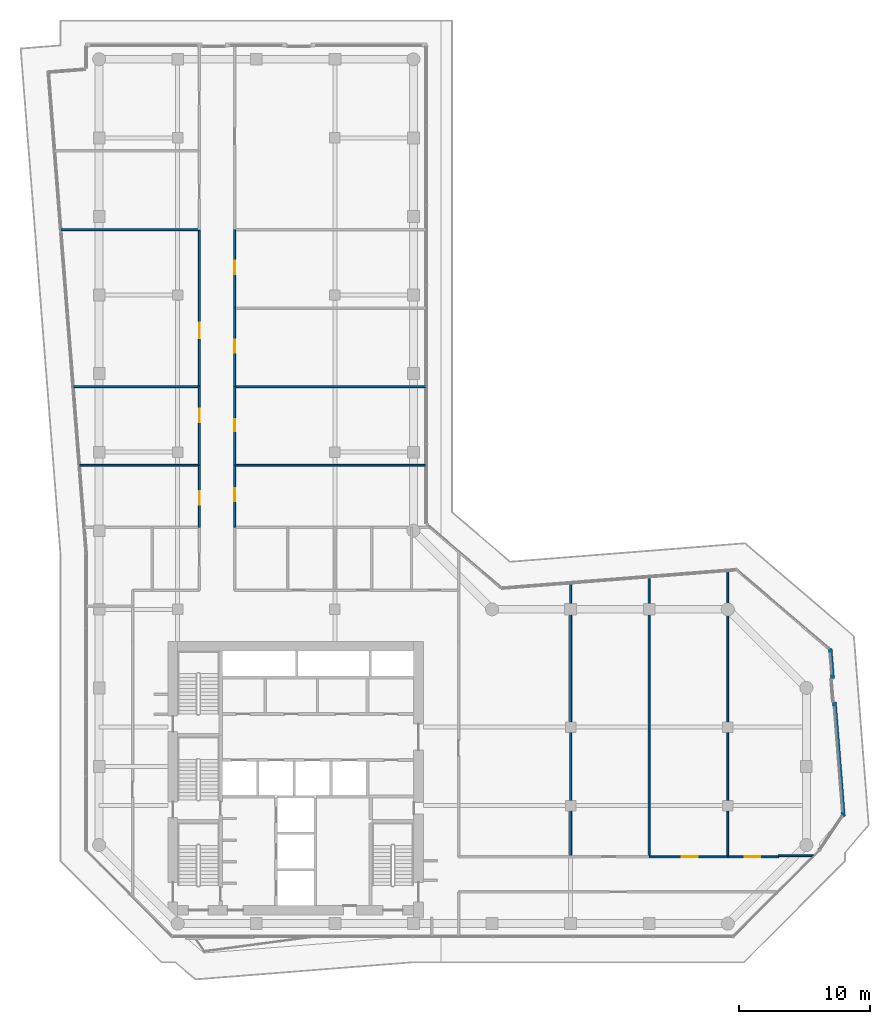
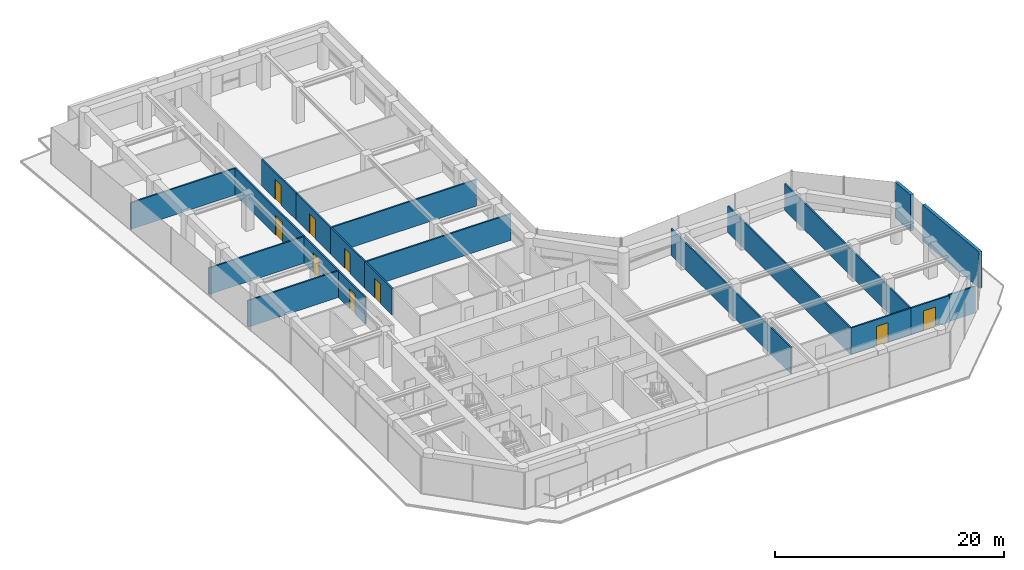
# One storey, part 22 of 25: 20 walls, 9 doors, 9 openings.
"""IFC4 building model written with IfcOpenShell, lengths in metres."""

from ifc_helpers import new_model, si_unit, direction, frame, frame_2d, origin, place, context, subcontext, project, spatial, rectangle, extrude, material, layer, layer_set, type_object, element, fill, save


model = new_model("IFC4")

# Units and contexts
model_context = context("Model", 3, precision=1e-05, world=origin(), true_north=direction((0.0, 1.0)))
body_context = subcontext(model_context, "Body", "Model", "MODEL_VIEW")
ifc_project = project(units=[si_unit("LENGTHUNIT", "METRE"), si_unit("AREAUNIT", "SQUARE_METRE"), si_unit("VOLUMEUNIT", "CUBIC_METRE"), si_unit("PLANEANGLEUNIT", "RADIAN"), si_unit("MASSUNIT", "GRAM", prefix="KILO")], contexts=[model_context])

# Site, building, storey
site_placement = place(None, origin())
site = spatial("IfcSite", under=ifc_project, at=site_placement, CompositionType="ELEMENT")
building_placement = place(site_placement, origin())
building = spatial("IfcBuilding", under=site, at=building_placement, Name="Welwitschia Terrace Campus", CompositionType="ELEMENT")
storey_placement = place(building_placement, frame((0.0, 0.0, 92.0)))
storey = spatial("IfcBuildingStorey", under=building, at=storey_placement, Name="L20", CompositionType="ELEMENT", Elevation=92.0)

# Walls
ifc_material_1 = material(Name="Gypsum board on steel studs", Category="steel")
ifc_layer_1 = layer(ifc_material_1, 0.14990234375)
ifc_layer_set_1 = layer_set([ifc_layer_1], Name="Gypsum board on steel studs")
wall_type_1 = type_object("IfcWallType", Name="Corridor partition 150 EI 30", PredefinedType="PARTITIONING", material=ifc_layer_set_1)
wall_1_placement = place(storey_placement, frame((-2.929931640625, 57.0, 0.0), z_axis=(0.0, 0.0, 1.0), x_axis=(1.0, 0.0, 0.0)))
element("IfcWall", 1, at=wall_1_placement, inside=storey, type_object=wall_type_1, Name="Partition", PredefinedType="PARTITIONING", context=body_context, shape_type="SweptSolid", body=[
    extrude(rectangle(XDim=10.579833984375, YDim=0.14990234375, at=frame_2d((5.2900390625, 0.0))), origin(), (0.0, 0.0, 1.0), 2.830078125),
])
wall_2_placement = place(storey_placement, frame((-1.97998046875, 45.0, 0.0), z_axis=(0.0, 0.0, 1.0), x_axis=(1.0, 0.0, 0.0)))
element("IfcWall", 2, at=wall_2_placement, inside=storey, type_object=wall_type_1, Name="Partition", PredefinedType="PARTITIONING", context=body_context, shape_type="SweptSolid", body=[
    extrude(rectangle(XDim=9.6298828125, YDim=0.14990234375, at=frame_2d((4.81494140625, 0.0))), origin(), (0.0, 0.0, 1.0), 2.830078125),
])
wall_3_placement = place(storey_placement, frame((-1.510009765625, 39.0, 0.0), z_axis=(0.0, 0.0, 1.0), x_axis=(1.0, 0.0, 0.0)))
element("IfcWall", 3, at=wall_3_placement, inside=storey, type_object=wall_type_1, Name="Partition", PredefinedType="PARTITIONING", context=body_context, shape_type="SweptSolid", body=[
    extrude(rectangle(XDim=9.159912109375, YDim=0.14990234375, at=frame_2d((4.580078125, 0.0))), origin(), (0.0, 0.0, 1.0), 2.830078125),
])

# Wall, opening, door
wall_4_placement = place(storey_placement, frame((7.64990234375, 34.25, 0.0), z_axis=(0.0, 0.0, 1.0), x_axis=(0.0, 1.0, 0.0)))
wall_4 = element("IfcWall", 4, at=wall_4_placement, inside=storey, type_object=wall_type_1, Name="Partition", PredefinedType="PARTITIONING", context=body_context, shape_type="SweptSolid", body=[
    extrude(rectangle(XDim=4.75, YDim=0.14990234375, at=frame_2d((2.375, 0.0))), origin(), (0.0, 0.0, 1.0), 2.830078125),
])
opening_1_placement = place(wall_4_placement, frame((1.75, 0.0, 0.0)))
opening_1 = element("IfcOpeningElement", 5, at=opening_1_placement, cuts=wall_4, Name="Opening DI10", PredefinedType="OPENING", context=body_context, shape_type="SweptSolid", body=[
    extrude(rectangle(XDim=1.0, YDim=2.10009765625, at=frame_2d((0.5, 1.050048828125))), frame((0.0, 0.0849609375, 0.0), z_axis=(0.0, -1.0, 0.0), x_axis=(1.0, 0.0, 0.0)), (0.0, 0.0, 1.0), 0.169921875),
])
ifc_material_2 = material(Name="Timber veneered door", Category="wood")
door_type_1 = type_object("IfcDoorType", Name="Interior door DI10", OperationType="NOTDEFINED", PredefinedType="DOOR", material=ifc_material_2)
door_1_placement = place(opening_1_placement, origin())
door_1 = element("IfcDoor", 6, at=door_1_placement, inside=storey, type_object=door_type_1, Name="Door L20 441", OperationType="SINGLE_SWING_RIGHT", OverallHeight=2.10009765625, OverallWidth=1.0, PredefinedType="DOOR", context=body_context, shape_type="SweptSolid", body=[
    extrude(rectangle(XDim=1.0, YDim=2.10009765625, at=frame_2d((0.5, 1.050048828125))), frame((0.0, 0.02490234375, 0.0), z_axis=(0.0, -1.0, 0.0), x_axis=(1.0, 0.0, 0.0)), (0.0, 0.0, 1.0), 0.050048828125),
])
fill(opening_1, door_1)

wall_5_placement = place(storey_placement, frame((7.64990234375, 39.0, 0.0), z_axis=(0.0, 0.0, 1.0), x_axis=(0.0, 1.0, 0.0)))
wall_5 = element("IfcWall", 7, at=wall_5_placement, inside=storey, type_object=wall_type_1, Name="Partition", PredefinedType="PARTITIONING", context=body_context, shape_type="SweptSolid", body=[
    extrude(rectangle(XDim=6.0, YDim=0.14990234375, at=frame_2d((3.0, 0.0))), origin(), (0.0, 0.0, 1.0), 2.830078125),
])
opening_2_placement = place(wall_5_placement, frame((3.300048828125, 0.0, 0.0)))
opening_2 = element("IfcOpeningElement", 8, at=opening_2_placement, cuts=wall_5, Name="Opening DI10", PredefinedType="OPENING", context=body_context, shape_type="SweptSolid", body=[
    extrude(rectangle(XDim=1.0, YDim=2.10009765625, at=frame_2d((0.5, 1.050048828125))), frame((0.0, 0.0849609375, 0.0), z_axis=(0.0, -1.0, 0.0), x_axis=(1.0, 0.0, 0.0)), (0.0, 0.0, 1.0), 0.169921875),
])
door_2_placement = place(opening_2_placement, origin())
door_2 = element("IfcDoor", 9, at=door_2_placement, inside=storey, type_object=door_type_1, Name="Door L20 442", OperationType="SINGLE_SWING_LEFT", OverallHeight=2.10009765625, OverallWidth=1.0, PredefinedType="DOOR", context=body_context, shape_type="SweptSolid", body=[
    extrude(rectangle(XDim=1.0, YDim=2.10009765625, at=frame_2d((0.5, 1.050048828125))), frame((0.0, 0.02490234375, 0.0), z_axis=(0.0, -1.0, 0.0), x_axis=(1.0, 0.0, 0.0)), (0.0, 0.0, 1.0), 0.050048828125),
])
fill(opening_2, door_2)

wall_6_placement = place(storey_placement, frame((7.64990234375, 45.0, 0.0), z_axis=(0.0, 0.0, 1.0), x_axis=(0.0, 1.0, 0.0)))
wall_6 = element("IfcWall", 10, at=wall_6_placement, inside=storey, type_object=wall_type_1, Name="Partition", PredefinedType="PARTITIONING", context=body_context, shape_type="SweptSolid", body=[
    extrude(rectangle(XDim=12.0, YDim=0.14990234375, at=frame_2d((6.0, 0.0))), origin(), (0.0, 0.0, 1.0), 2.830078125),
])
opening_3_placement = place(wall_6_placement, frame((3.699951171875, 0.0, 0.0)))
opening_3 = element("IfcOpeningElement", 11, at=opening_3_placement, cuts=wall_6, Name="Opening DI12", PredefinedType="OPENING", context=body_context, shape_type="SweptSolid", body=[
    extrude(rectangle(XDim=1.199951171875, YDim=2.10009765625, at=frame_2d((0.60009765625, 1.050048828125))), frame((0.0, 0.0849609375, 0.0), z_axis=(0.0, -1.0, 0.0), x_axis=(1.0, 0.0, 0.0)), (0.0, 0.0, 1.0), 0.169921875),
])
ifc_material_3 = material(Name="Timber veneered door", Category="wood")
door_type_2 = type_object("IfcDoorType", Name="Interior door DI12", OperationType="NOTDEFINED", PredefinedType="DOOR", material=ifc_material_3)
door_3_placement = place(opening_3_placement, origin())
door_3 = element("IfcDoor", 12, at=door_3_placement, inside=storey, type_object=door_type_2, Name="Door L20 443", OperationType="SINGLE_SWING_RIGHT", OverallHeight=2.10009765625, OverallWidth=1.199951171875, PredefinedType="DOOR", context=body_context, shape_type="SweptSolid", body=[
    extrude(rectangle(XDim=1.199951171875, YDim=2.10009765625, at=frame_2d((0.60009765625, 1.050048828125))), frame((0.0, 0.02490234375, 0.0), z_axis=(0.0, -1.0, 0.0), x_axis=(1.0, 0.0, 0.0)), (0.0, 0.0, 1.0), 0.050048828125),
])
fill(opening_3, door_3)

wall_7_placement = place(storey_placement, frame((10.35009765625, 39.0, 0.0), z_axis=(0.0, 0.0, 1.0), x_axis=(0.0, -1.0, 0.0)))
wall_7 = element("IfcWall", 13, at=wall_7_placement, inside=storey, type_object=wall_type_1, Name="Partition", PredefinedType="PARTITIONING", context=body_context, shape_type="SweptSolid", body=[
    extrude(rectangle(XDim=4.75, YDim=0.14990234375, at=frame_2d((2.375, 0.0))), origin(), (0.0, 0.0, 1.0), 2.830078125),
])
opening_4_placement = place(wall_7_placement, frame((1.75, 0.0, 0.0)))
opening_4 = element("IfcOpeningElement", 14, at=opening_4_placement, cuts=wall_7, Name="Opening DI10", PredefinedType="OPENING", context=body_context, shape_type="SweptSolid", body=[
    extrude(rectangle(XDim=1.0, YDim=2.10009765625, at=frame_2d((0.5, 1.050048828125))), frame((0.0, 0.0849609375, 0.0), z_axis=(0.0, -1.0, 0.0), x_axis=(1.0, 0.0, 0.0)), (0.0, 0.0, 1.0), 0.169921875),
])
door_4_placement = place(opening_4_placement, origin())
door_4 = element("IfcDoor", 15, at=door_4_placement, inside=storey, type_object=door_type_1, Name="Door L20 446", OperationType="SINGLE_SWING_LEFT", OverallHeight=2.10009765625, OverallWidth=1.0, PredefinedType="DOOR", context=body_context, shape_type="SweptSolid", body=[
    extrude(rectangle(XDim=1.0, YDim=2.10009765625, at=frame_2d((0.5, 1.050048828125))), frame((0.0, 0.02490234375, 0.0), z_axis=(0.0, -1.0, 0.0), x_axis=(1.0, 0.0, 0.0)), (0.0, 0.0, 1.0), 0.050048828125),
])
fill(opening_4, door_4)

# Wall
wall_8_placement = place(storey_placement, frame((10.35009765625, 39.0, 0.0), z_axis=(0.0, 0.0, 1.0), x_axis=(1.0, 0.0, 0.0)))
element("IfcWall", 16, at=wall_8_placement, inside=storey, type_object=wall_type_1, Name="Partition", PredefinedType="PARTITIONING", context=body_context, shape_type="SweptSolid", body=[
    extrude(rectangle(XDim=14.6298828125, YDim=0.14990234375, at=frame_2d((7.31494140625, 0.0))), origin(), (0.0, 0.0, 1.0), 2.830078125),
])

# Wall, opening, door
wall_9_placement = place(storey_placement, frame((10.35009765625, 45.0, 0.0), z_axis=(0.0, 0.0, 1.0), x_axis=(0.0, -1.0, 0.0)))
wall_9 = element("IfcWall", 17, at=wall_9_placement, inside=storey, type_object=wall_type_1, Name="Partition", PredefinedType="PARTITIONING", context=body_context, shape_type="SweptSolid", body=[
    extrude(rectangle(XDim=6.0, YDim=0.14990234375, at=frame_2d((3.0, 0.0))), origin(), (0.0, 0.0, 1.0), 2.830078125),
])
opening_5_placement = place(wall_9_placement, frame((2.5, 0.0, 0.0)))
opening_5 = element("IfcOpeningElement", 18, at=opening_5_placement, cuts=wall_9, Name="Opening DI09", PredefinedType="OPENING", context=body_context, shape_type="SweptSolid", body=[
    extrude(rectangle(XDim=0.89990234375, YDim=2.10009765625, at=frame_2d((0.449951171875, 1.050048828125))), frame((0.0, 0.0849609375, 0.0), z_axis=(0.0, -1.0, 0.0), x_axis=(1.0, 0.0, 0.0)), (0.0, 0.0, 1.0), 0.169921875),
])
ifc_material_4 = material(Name="Timber veneered door", Category="wood")
door_type_3 = type_object("IfcDoorType", Name="Interior door DI09", OperationType="NOTDEFINED", PredefinedType="DOOR", material=ifc_material_4)
door_5_placement = place(opening_5_placement, origin())
door_5 = element("IfcDoor", 19, at=door_5_placement, inside=storey, type_object=door_type_3, Name="Door L20 447", OperationType="SINGLE_SWING_RIGHT", OverallHeight=2.10009765625, OverallWidth=0.89990234375, PredefinedType="DOOR", context=body_context, shape_type="SweptSolid", body=[
    extrude(rectangle(XDim=0.89990234375, YDim=2.10009765625, at=frame_2d((0.449951171875, 1.050048828125))), frame((0.0, 0.02490234375, 0.0), z_axis=(0.0, -1.0, 0.0), x_axis=(1.0, 0.0, 0.0)), (0.0, 0.0, 1.0), 0.050048828125),
])
fill(opening_5, door_5)

# Wall
wall_10_placement = place(storey_placement, frame((10.35009765625, 45.0, 0.0), z_axis=(0.0, 0.0, 1.0), x_axis=(1.0, 0.0, 0.0)))
element("IfcWall", 20, at=wall_10_placement, inside=storey, type_object=wall_type_1, Name="Partition", PredefinedType="PARTITIONING", context=body_context, shape_type="SweptSolid", body=[
    extrude(rectangle(XDim=14.6298828125, YDim=0.14990234375, at=frame_2d((7.31494140625, 0.0))), origin(), (0.0, 0.0, 1.0), 2.830078125),
])

# Wall, opening, door
wall_11_placement = place(storey_placement, frame((10.35009765625, 51.0, 0.0), z_axis=(0.0, 0.0, 1.0), x_axis=(0.0, -1.0, 0.0)))
wall_11 = element("IfcWall", 21, at=wall_11_placement, inside=storey, type_object=wall_type_1, Name="Partition", PredefinedType="PARTITIONING", context=body_context, shape_type="SweptSolid", body=[
    extrude(rectangle(XDim=6.0, YDim=0.14990234375, at=frame_2d((3.0, 0.0))), origin(), (0.0, 0.0, 1.0), 2.830078125),
])
opening_6_placement = place(wall_11_placement, frame((2.39990234375, 0.0, 0.0)))
opening_6 = element("IfcOpeningElement", 22, at=opening_6_placement, cuts=wall_11, Name="Opening DI10", PredefinedType="OPENING", context=body_context, shape_type="SweptSolid", body=[
    extrude(rectangle(XDim=1.0, YDim=2.10009765625, at=frame_2d((0.5, 1.050048828125))), frame((0.0, 0.0849609375, 0.0), z_axis=(0.0, -1.0, 0.0), x_axis=(1.0, 0.0, 0.0)), (0.0, 0.0, 1.0), 0.169921875),
])
door_6_placement = place(opening_6_placement, origin())
door_6 = element("IfcDoor", 23, at=door_6_placement, inside=storey, type_object=door_type_1, Name="Door L20 448", OperationType="SINGLE_SWING_LEFT", OverallHeight=2.10009765625, OverallWidth=1.0, PredefinedType="DOOR", context=body_context, shape_type="SweptSolid", body=[
    extrude(rectangle(XDim=1.0, YDim=2.10009765625, at=frame_2d((0.5, 1.050048828125))), frame((0.0, 0.02490234375, 0.0), z_axis=(0.0, -1.0, 0.0), x_axis=(1.0, 0.0, 0.0)), (0.0, 0.0, 1.0), 0.050048828125),
])
fill(opening_6, door_6)

wall_12_placement = place(storey_placement, frame((10.35009765625, 57.0, 0.0), z_axis=(0.0, 0.0, 1.0), x_axis=(0.0, -1.0, 0.0)))
wall_12 = element("IfcWall", 24, at=wall_12_placement, inside=storey, type_object=wall_type_1, Name="Partition", PredefinedType="PARTITIONING", context=body_context, shape_type="SweptSolid", body=[
    extrude(rectangle(XDim=6.0, YDim=0.14990234375, at=frame_2d((3.0, 0.0))), origin(), (0.0, 0.0, 1.0), 2.830078125),
])
opening_7_placement = place(wall_12_placement, frame((2.39990234375, 0.0, 0.0)))
opening_7 = element("IfcOpeningElement", 25, at=opening_7_placement, cuts=wall_12, Name="Opening DI10", PredefinedType="OPENING", context=body_context, shape_type="SweptSolid", body=[
    extrude(rectangle(XDim=1.0, YDim=2.10009765625, at=frame_2d((0.5, 1.050048828125))), frame((0.0, 0.0849609375, 0.0), z_axis=(0.0, -1.0, 0.0), x_axis=(1.0, 0.0, 0.0)), (0.0, 0.0, 1.0), 0.169921875),
])
door_7_placement = place(opening_7_placement, origin())
door_7 = element("IfcDoor", 26, at=door_7_placement, inside=storey, type_object=door_type_1, Name="Door L20 449", OperationType="SINGLE_SWING_RIGHT", OverallHeight=2.10009765625, OverallWidth=1.0, PredefinedType="DOOR", context=body_context, shape_type="SweptSolid", body=[
    extrude(rectangle(XDim=1.0, YDim=2.10009765625, at=frame_2d((0.5, 1.050048828125))), frame((0.0, 0.02490234375, 0.0), z_axis=(0.0, -1.0, 0.0), x_axis=(1.0, 0.0, 0.0)), (0.0, 0.0, 1.0), 0.050048828125),
])
fill(opening_7, door_7)

# Walls
wall_13_placement = place(storey_placement, frame((36.0, 9.10009765625, 0.0), z_axis=(0.0, 0.0, 1.0), x_axis=(0.0, 1.0, 0.0)))
element("IfcWall", 27, at=wall_13_placement, inside=storey, type_object=wall_type_1, Name="Partition", PredefinedType="PARTITIONING", context=body_context, shape_type="SweptSolid", body=[
    extrude(rectangle(XDim=20.919921875, YDim=0.14990234375, at=frame_2d((10.4599609375, 0.0))), origin(), (0.0, 0.0, 1.0), 2.830078125),
])
wall_14_placement = place(storey_placement, frame((42.0, 9.10009765625, 0.0), z_axis=(0.0, 0.0, 1.0), x_axis=(0.0, 1.0, 0.0)))
element("IfcWall", 28, at=wall_14_placement, inside=storey, type_object=wall_type_1, Name="Partition", PredefinedType="PARTITIONING", context=body_context, shape_type="SweptSolid", body=[
    extrude(rectangle(XDim=21.389892578125, YDim=0.14990234375, at=frame_2d((10.69482421875, 0.0))), origin(), (0.0, 0.0, 1.0), 2.830078125),
])

# Wall, opening, door
wall_15_placement = place(storey_placement, frame((42.0, 9.10009765625, 0.0), z_axis=(0.0, 0.0, 1.0), x_axis=(1.0, 0.0, 0.0)))
wall_15 = element("IfcWall", 29, at=wall_15_placement, inside=storey, type_object=wall_type_1, Name="Partition", PredefinedType="PARTITIONING", context=body_context, shape_type="SweptSolid", body=[
    extrude(rectangle(XDim=6.0, YDim=0.14990234375, at=frame_2d((3.0, 0.0))), origin(), (0.0, 0.0, 1.0), 2.830078125),
])
opening_8_placement = place(wall_15_placement, frame((2.5, 0.0, 0.0)))
opening_8 = element("IfcOpeningElement", 30, at=opening_8_placement, cuts=wall_15, Name="Opening DX12", PredefinedType="OPENING", context=body_context, shape_type="SweptSolid", body=[
    extrude(rectangle(XDim=1.199951171875, YDim=2.10009765625, at=frame_2d((0.60009765625, 1.050048828125))), frame((0.0, 0.0849609375, 0.0), z_axis=(0.0, -1.0, 0.0), x_axis=(1.0, 0.0, 0.0)), (0.0, 0.0, 1.0), 0.169921875),
])
ifc_material_5 = material(Name="Timber veneered door", Category="wood")
door_type_4 = type_object("IfcDoorType", Name="Interior door DX12", OperationType="NOTDEFINED", PredefinedType="DOOR", material=ifc_material_5)
door_8_placement = place(opening_8_placement, origin())
door_8 = element("IfcDoor", 31, at=door_8_placement, inside=storey, type_object=door_type_4, Name="Door L20 456", OperationType="SINGLE_SWING_LEFT", OverallHeight=2.10009765625, OverallWidth=1.199951171875, PredefinedType="DOOR", context=body_context, shape_type="SweptSolid", body=[
    extrude(rectangle(XDim=1.199951171875, YDim=2.10009765625, at=frame_2d((0.60009765625, 1.050048828125))), frame((0.0, 0.02490234375, 0.0), z_axis=(0.0, -1.0, 0.0), x_axis=(1.0, 0.0, 0.0)), (0.0, 0.0, 1.0), 0.050048828125),
])
fill(opening_8, door_8)

# Wall
wall_16_placement = place(storey_placement, frame((48.0, 9.10009765625, 0.0), z_axis=(0.0, 0.0, 1.0), x_axis=(0.0, 1.0, 0.0)))
element("IfcWall", 32, at=wall_16_placement, inside=storey, type_object=wall_type_1, Name="Partition", PredefinedType="PARTITIONING", context=body_context, shape_type="SweptSolid", body=[
    extrude(rectangle(XDim=21.85986328125, YDim=0.14990234375, at=frame_2d((10.929931640625, 0.0))), origin(), (0.0, 0.0, 1.0), 2.830078125),
])

# Wall, opening, door
wall_17_placement = place(storey_placement, frame((48.0, 9.10009765625, 0.0), z_axis=(0.0, 0.0, 1.0), x_axis=(1.0, 0.0, 0.0)))
wall_17 = element("IfcWall", 33, at=wall_17_placement, inside=storey, type_object=wall_type_1, Name="Partition", PredefinedType="PARTITIONING", context=body_context, shape_type="SweptSolid", body=[
    extrude(rectangle(XDim=3.8798828125, YDim=0.14990234375, at=frame_2d((1.93994140625, 0.0))), origin(), (0.0, 0.0, 1.0), 2.830078125),
])
opening_9_placement = place(wall_17_placement, frame((1.280029296875, 0.0, 0.0)))
opening_9 = element("IfcOpeningElement", 34, at=opening_9_placement, cuts=wall_17, Name="Opening DI12", PredefinedType="OPENING", context=body_context, shape_type="SweptSolid", body=[
    extrude(rectangle(XDim=1.199951171875, YDim=2.10009765625, at=frame_2d((0.60009765625, 1.050048828125))), frame((0.0, 0.0849609375, 0.0), z_axis=(0.0, -1.0, 0.0), x_axis=(1.0, 0.0, 0.0)), (0.0, 0.0, 1.0), 0.169921875),
])
door_9_placement = place(opening_9_placement, origin())
door_9 = element("IfcDoor", 35, at=door_9_placement, inside=storey, type_object=door_type_2, Name="Door L20 457", OperationType="SINGLE_SWING_RIGHT", OverallHeight=2.10009765625, OverallWidth=1.199951171875, PredefinedType="DOOR", context=body_context, shape_type="SweptSolid", body=[
    extrude(rectangle(XDim=1.199951171875, YDim=2.10009765625, at=frame_2d((0.60009765625, 1.050048828125))), frame((0.0, 0.02490234375, 0.0), z_axis=(0.0, -1.0, 0.0), x_axis=(1.0, 0.0, 0.0)), (0.0, 0.0, 1.0), 0.050048828125),
])
fill(opening_9, door_9)

# Walls
wall_18_placement = place(storey_placement, frame((51.85009765625, 9.179931640625, 0.0), z_axis=(0.0, 0.0, 1.0), x_axis=(1.0, 0.0, 0.0)))
element("IfcWall", 36, at=wall_18_placement, inside=storey, type_object=wall_type_1, Name="Partition", PredefinedType="PARTITIONING", context=body_context, shape_type="SweptSolid", body=[
    extrude(rectangle(XDim=2.70166015625, YDim=0.14990234375, at=frame_2d((1.350830078125, 0.0))), origin(), (0.0, 0.0, 1.0), 2.830078125),
])
ifc_material_6 = material(Name="Concrete C40/50", Category="concrete")
ifc_layer_2 = layer(ifc_material_6, 0.300048828125)
ifc_layer_set_2 = layer_set([ifc_layer_2], Name="Concrete C40/50")
wall_type_2 = type_object("IfcWallType", Name="Mass wall 300", PredefinedType="SOLIDWALL", material=ifc_layer_set_2)
wall_19_placement = place(storey_placement, frame((56.83203125, 12.188232421875, 0.0), z_axis=(0.0, 0.0, 1.0), x_axis=(-0.078465058483, 0.996916864436, 0.0)))
element("IfcWall", 37, at=wall_19_placement, inside=storey, type_object=wall_type_2, Name="Mass wall L20.6.0", PredefinedType="SOLIDWALL", context=body_context, shape_type="SweptSolid", body=[
    extrude(rectangle(XDim=8.739990234375, YDim=0.300048828125, at=frame_2d((4.3701171875, 0.0))), origin(), (0.0, 0.0, 1.0), 3.85009765625),
])
wall_20_placement = place(storey_placement, frame((56.0048828125, 22.69580078125, 0.0), z_axis=(0.0, 0.0, 1.0), x_axis=(-0.078415427879, 0.996920769505, 0.0)))
element("IfcWall", 38, at=wall_20_placement, inside=storey, type_object=wall_type_2, Name="Mass wall L20.6.1", PredefinedType="SOLIDWALL", context=body_context, shape_type="SweptSolid", body=[
    extrude(rectangle(XDim=2.313232421875, YDim=0.300048828125, at=frame_2d((1.15673828125, 0.0))), origin(), (0.0, 0.0, 1.0), 3.85009765625),
])

save(model, "model.ifc")
